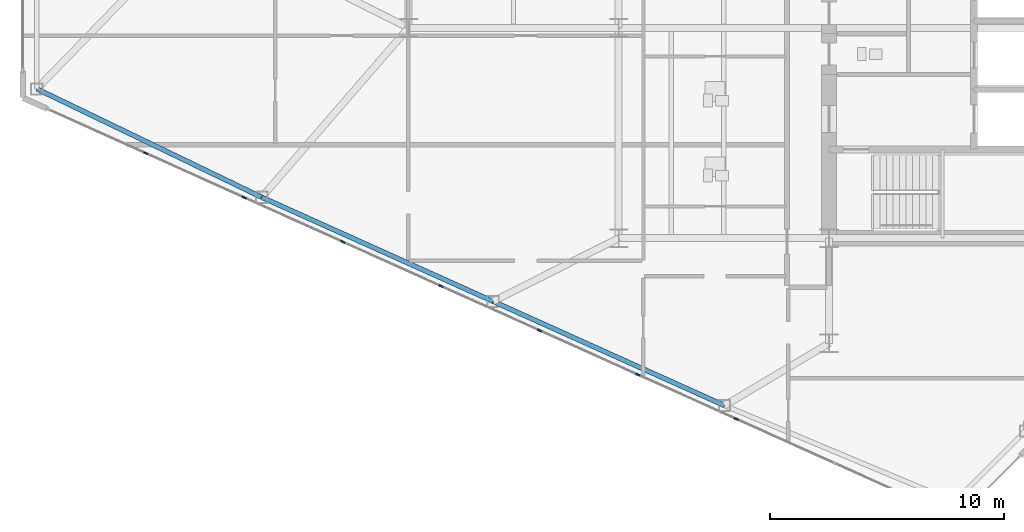
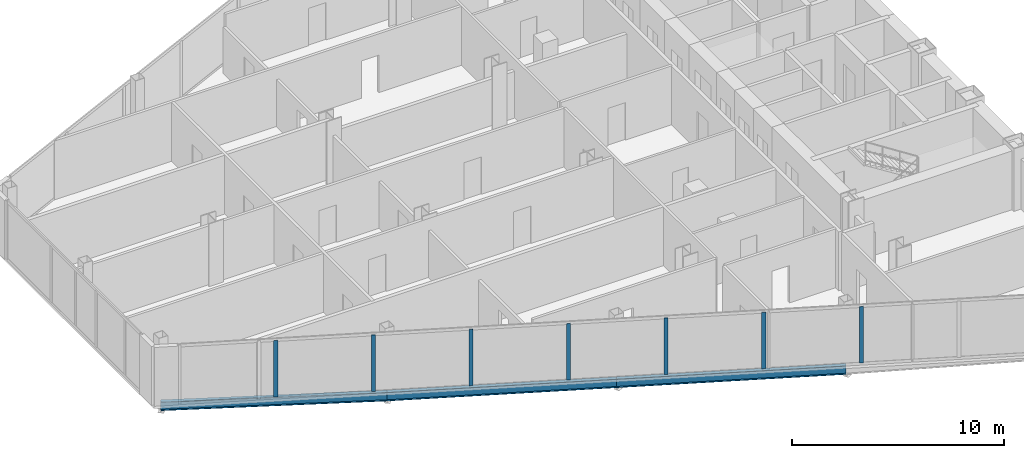
# One storey, part 3 of 27: 7 members, 3 beams, 1 element without a shape of its own.
"""IFC4 building model written with IfcOpenShell, lengths in metres."""

import ifcopenshell
import ifcopenshell.guid

model = None  # the IFC model being written
_history = None  # IfcOwnerHistory: only IFC2X3 demands one
_inside = {}  # id of a spatial element -> (the spatial element, [elements in it])
_under = {}  # id of a project, library or spatial element -> (it, [spatial elements below it])
_declared = {}  # id of a project -> (the project, [libraries it declares])
_typed = {}  # id of a type object -> (the type object, [elements of that type])
_made_of = {}  # id of a material, layer set ... -> (it, [elements and type objects made of it])


def new_model(schema):
    """Start an empty IFC model of exactly this schema.

    Asked for "IFC4X3", IfcOpenShell would pick the latest addendum, in which some entities
    have other attributes; the version numbers below select the first issue.
    IFC2X3 requires an IfcOwnerHistory on every rooted entity: one is made here for all.
    """
    global model, _history
    if schema == "IFC4X3":
        model = ifcopenshell.file(schema_version=(4, 3, 0, 0))
    else:
        model = ifcopenshell.file(schema=schema)
    _inside.clear()
    _under.clear()
    _declared.clear()
    _typed.clear()
    _made_of.clear()
    _history = None
    if model.schema == "IFC2X3":
        org = make("IfcOrganization", Name="unknown")
        user = make(
            "IfcPersonAndOrganization",
            ThePerson=make("IfcPerson", FamilyName="unknown"),
            TheOrganization=org,
        )
        app = make(
            "IfcApplication",
            ApplicationDeveloper=org,
            Version="unknown",
            ApplicationFullName="unknown",
            ApplicationIdentifier="unknown",
        )
        _history = make(
            "IfcOwnerHistory",
            OwningUser=user,
            OwningApplication=app,
            ChangeAction="ADDED",
            CreationDate=0,
        )
    return model


def make(cls, **values):
    """One entity of the class cls with the attributes given. An attribute that is None is left unset."""
    return model.create_entity(
        cls, **{name: value for name, value in values.items() if value is not None}
    )


def rooted(cls, **values):
    """An entity with a GlobalId (a new one), such as an element, a storey or a relation."""
    return make(cls, GlobalId=ifcopenshell.guid.new(), OwnerHistory=_history, **values)


def si_unit(unit_type, name, prefix=None):
    """IfcSIUnit, for example si_unit("LENGTHUNIT", "METRE", prefix="MILLI")."""
    return make("IfcSIUnit", UnitType=unit_type, Prefix=prefix, Name=name)


def assignment(units):
    """IfcUnitAssignment: the units of a project."""
    return None if units is None else make("IfcUnitAssignment", Units=units)


def point(xyz):
    """IfcCartesianPoint."""
    return None if xyz is None else make("IfcCartesianPoint", Coordinates=xyz)


def direction(xyz):
    """IfcDirection."""
    return None if xyz is None else make("IfcDirection", DirectionRatios=xyz)


def frame(location, z_axis=None, x_axis=None):
    """IfcAxis2Placement3D, a coordinate frame: its origin and axes. An axis left out is left unset."""
    return make(
        "IfcAxis2Placement3D",
        Location=point(location),
        Axis=direction(z_axis),
        RefDirection=direction(x_axis),
    )


def frame_2d(location, x_axis=None):
    """IfcAxis2Placement2D, a coordinate frame in the plane: its origin and x axis."""
    return make(
        "IfcAxis2Placement2D", Location=point(location), RefDirection=direction(x_axis)
    )


def origin():
    """The frame at (0, 0, 0) with its axes left unset."""
    return frame((0.0, 0.0, 0.0))


def origin_2d():
    """The frame at (0, 0) in the plane with its x axis left unset."""
    return frame_2d((0.0, 0.0))


def place(relative_to, where):
    """IfcLocalPlacement: puts the frame where relative to a parent placement (None: the world)."""
    return make(
        "IfcLocalPlacement", PlacementRelTo=relative_to, RelativePlacement=where
    )


def context(
    kind, dimensions, precision=None, world=None, true_north=None, identifier=None
):
    """IfcGeometricRepresentationContext, for example the 3D "Model" context."""
    return make(
        "IfcGeometricRepresentationContext",
        ContextIdentifier=identifier,
        ContextType=kind,
        CoordinateSpaceDimension=dimensions,
        Precision=precision,
        WorldCoordinateSystem=world,
        TrueNorth=true_north,
    )


def subcontext(parent, identifier, kind, view, scale=None):
    """IfcGeometricRepresentationSubContext, for example "Body" below "Model"."""
    return make(
        "IfcGeometricRepresentationSubContext",
        ContextIdentifier=identifier,
        ContextType=kind,
        ParentContext=parent,
        TargetScale=scale,
        TargetView=view,
    )


def project(units=None, contexts=None):
    """IfcProject with its units and contexts."""
    return rooted(
        "IfcProject",
        Name="project",
        RepresentationContexts=contexts,
        UnitsInContext=assignment(units),
    )


def spatial(cls, under=None, at=None, **own):
    """A site, building, storey or space (cls), placed at a placement, below another one or the project."""
    s = rooted(cls, ObjectPlacement=at, **own)
    if under is not None:
        _under.setdefault(under.id(), (under, []))[1].append(s)
    return s


def profile(cls, at=None, kind="AREA", **sizes):
    """A parametric profile (cls). Its sizes go by their IFC names, for example OverallWidth=200.0."""
    return make(cls, ProfileType=kind, Position=at, **sizes)


def rectangle(**sizes):
    """IfcRectangleProfileDef."""
    return profile("IfcRectangleProfileDef", **sizes)


def i_section(**sizes):
    """IfcIShapeProfileDef."""
    return profile("IfcIShapeProfileDef", **sizes)


def extrude(swept, where, along, depth):
    """IfcExtrudedAreaSolid: the profile swept, set in the frame where, extruded along a direction by depth."""
    return make(
        "IfcExtrudedAreaSolid",
        SweptArea=swept,
        Position=where,
        ExtrudedDirection=direction(along),
        Depth=depth,
    )


def shape(context_of_items, identifier, shape_type, items):
    """IfcShapeRepresentation: the items that make up one representation, for example the "Body"."""
    return make(
        "IfcShapeRepresentation",
        ContextOfItems=context_of_items,
        RepresentationIdentifier=identifier,
        RepresentationType=shape_type,
        Items=items,
    )


def source(mapping_origin, context_of_items, identifier, shape_type, items):
    """IfcRepresentationMap: a shape defined once, which mapped items show again and again."""
    return make(
        "IfcRepresentationMap",
        MappingOrigin=mapping_origin,
        MappedRepresentation=shape(context_of_items, identifier, shape_type, items),
    )


def transform(
    local_origin,
    x_axis=None,
    y_axis=None,
    z_axis=None,
    scale=None,
    scale2=None,
    scale3=None,
    uniform=True,
):
    """IfcCartesianTransformationOperator3D, or its non-uniform kind. x_axis, y_axis, z_axis: its Axis1, 2, 3."""
    if uniform:
        return make(
            "IfcCartesianTransformationOperator3D",
            Axis1=direction(x_axis),
            Axis2=direction(y_axis),
            LocalOrigin=point(local_origin),
            Scale=scale,
            Axis3=direction(z_axis),
        )
    return make(
        "IfcCartesianTransformationOperator3DnonUniform",
        Axis1=direction(x_axis),
        Axis2=direction(y_axis),
        LocalOrigin=point(local_origin),
        Scale=scale,
        Axis3=direction(z_axis),
        Scale2=scale2,
        Scale3=scale3,
    )


def mapped(mapping_source, mapping_target):
    """IfcMappedItem: shows the shape of a source again, moved by a transform."""
    return make(
        "IfcMappedItem", MappingSource=mapping_source, MappingTarget=mapping_target
    )


def material(Name=None, Category=None):
    """IfcMaterial."""
    return make("IfcMaterial", Name=Name, Category=Category)


def layer(
    of_material, thickness, ventilated=None, Name=None, Category=None, Priority=None
):
    """IfcMaterialLayer: one layer of a wall or slab, of a material (None: an air gap)."""
    return make(
        "IfcMaterialLayer",
        Material=of_material,
        LayerThickness=thickness,
        IsVentilated=ventilated,
        Name=Name,
        Category=Category,
        Priority=Priority,
    )


def layer_set(layers, Name=None):
    """IfcMaterialLayerSet."""
    return make("IfcMaterialLayerSet", MaterialLayers=layers, LayerSetName=Name)


def material_profile(
    of_material, cross_section, Name=None, Category=None, Priority=None
):
    """IfcMaterialProfile: a cross section and its material."""
    return make(
        "IfcMaterialProfile",
        Name=Name,
        Material=of_material,
        Profile=cross_section,
        Priority=Priority,
        Category=Category,
    )


def profile_set(profiles, Name=None, composite=None):
    """IfcMaterialProfileSet."""
    return make(
        "IfcMaterialProfileSet",
        Name=Name,
        MaterialProfiles=profiles,
        CompositeProfile=composite,
    )


def made_of(thing, what):
    """Note that an element or type object is made of a material, layer set ...; save() writes the relation."""
    if what is not None:
        _made_of.setdefault(what.id(), (what, []))[1].append(thing)
    return thing


def type_object(cls, material=None, **own):
    """A type object (cls), such as IfcWallType, which elements share."""
    return made_of(rooted(cls, **own), material)


def type_shapes(of_type, sources):
    """Give a type object the sources (RepresentationMaps) that its elements show as mapped items."""
    of_type.RepresentationMaps = sources


def element(
    cls,
    number,
    at=None,
    inside=None,
    cuts=None,
    type_object=None,
    material=None,
    context=None,
    identifier="Body",
    shape_type=None,
    held_by="IfcProductDefinitionShape",
    body=None,
    shapes=None,
    **own,
):
    """One element of the class cls, such as IfcWall. Its Tag is "e" and its number.

    at: its placement. inside: the storey or other place that contains it. cuts: it is an
    opening in that element (IfcRelVoidsElement). A single representation is given by context,
    identifier, shape_type and body (its items); several are given by shapes. held_by: the class
    of the entity that holds the representations. save() writes the other relations.
    """
    e = rooted(cls, Tag="e%d" % number, ObjectPlacement=at, **own)
    if body is not None:
        shapes = [shape(context, identifier, shape_type, body)]
    if shapes is not None:
        e.Representation = make(held_by, Representations=shapes)
    if inside is not None:
        _inside.setdefault(inside.id(), (inside, []))[1].append(e)
    if cuts is not None:
        rooted(
            "IfcRelVoidsElement", RelatingBuildingElement=cuts, RelatedOpeningElement=e
        )
    if type_object is not None:
        _typed.setdefault(type_object.id(), (type_object, []))[1].append(e)
    return made_of(e, material)


def aggregate(whole, parts):
    """IfcRelAggregates: a whole, such as a stair, and the parts it consists of."""
    return rooted("IfcRelAggregates", RelatingObject=whole, RelatedObjects=parts)


def save(model, path):
    """Write the relations noted so far, then the file.

    IfcRelAggregates (storeys below a building ...), IfcRelContainedInSpatialStructure (elements
    in a storey), IfcRelDefinesByType, IfcRelAssociatesMaterial and IfcRelDeclares: one each for
    every whole, place, type object, material and project.
    """
    for whole, parts in _under.values():
        aggregate(whole, parts)
    for where, things in _inside.values():
        rooted(
            "IfcRelContainedInSpatialStructure",
            RelatedElements=things,
            RelatingStructure=where,
        )
    for kind, things in _typed.values():
        rooted("IfcRelDefinesByType", RelatedObjects=things, RelatingType=kind)
    for what, things in _made_of.values():
        rooted("IfcRelAssociatesMaterial", RelatedObjects=things, RelatingMaterial=what)
    for by, libraries in _declared.values():
        rooted("IfcRelDeclares", RelatingContext=by, RelatedDefinitions=libraries)
    model.write(path)


model = new_model("IFC4")

# Units and contexts
model_context = context("Model", 3, precision=1e-05, world=origin(), true_north=direction((0.0, 1.0)))
body_context = subcontext(model_context, "Body", "Model", "MODEL_VIEW")
ifc_project = project(units=[si_unit("LENGTHUNIT", "METRE"), si_unit("AREAUNIT", "SQUARE_METRE"), si_unit("VOLUMEUNIT", "CUBIC_METRE"), si_unit("PLANEANGLEUNIT", "RADIAN"), si_unit("MASSUNIT", "GRAM", prefix="KILO")], contexts=[model_context])

# Site, building, storey
site_placement = place(None, origin())
site = spatial("IfcSite", under=ifc_project, at=site_placement, CompositionType="ELEMENT")
building_placement = place(site_placement, origin())
building = spatial("IfcBuilding", under=site, at=building_placement, Name="Seokmaru Belvedere", CompositionType="ELEMENT")
storey_placement = place(building_placement, frame((0.0, 0.0, 76.5)))
storey = spatial("IfcBuildingStorey", under=building, at=storey_placement, Name="L20", CompositionType="ELEMENT", Elevation=76.5)

# Beams
ifc_material_1 = material(Name="Steel SM355 (355 MPa)", Category="steel")
ifc_material_profile_1 = material_profile(ifc_material_1, i_section(OverallWidth=0.199951171875, OverallDepth=0.5, WebThickness=0.010009765625, FlangeThickness=0.01611328125, at=origin_2d()), Name="H-500x200x10x16")
ifc_profile_set_1 = profile_set([ifc_material_profile_1], Name="Steel SM355 (355 MPa)")
beam_type = type_object("IfcBeamType", Name="Perimeter Spandrel Beam H-500", PredefinedType="SPANDREL", material=ifc_profile_set_1)
shared_shape_1 = source(origin(), body_context, "Body", "SweptSolid", [
    extrude(i_section(OverallWidth=0.199951171875, OverallDepth=0.5, WebThickness=0.010009765625, FlangeThickness=0.01611328125, at=origin_2d()), origin(), (0.0, 0.0, 1.0), 10.85888671875),
])
for number, where, z_axis, x_axis, name in (
    (1, (-40.97265625, -20.661376953125, -0.469970703125), (-0.911921505175, 0.410364677329, 0.0), (-0.410364677329, -0.911921505175, 0.0), "L20 W Faceted Flank Spandrel S-2"),
    (2, (-50.875, -16.205322265625, -0.469970703125), (-0.911925291223, 0.410356263785, 0.0), (-0.410356263785, -0.911925291223, 0.0), "L20 W Faceted Flank Spandrel S-3"),
):
    element("IfcBeam", number, at=place(storey_placement, frame(where, z_axis=z_axis, x_axis=x_axis)), inside=storey, type_object=beam_type, Name=name, PredefinedType="SPANDREL", context=body_context, shape_type="MappedRepresentation", body=[
        mapped(shared_shape_1, transform((0.0, 0.0, 0.0), scale=1.0)),
    ])
shared_shape_2 = source(origin(), body_context, "Body", "SweptSolid", [
    extrude(i_section(OverallWidth=0.199951171875, OverallDepth=0.5, WebThickness=0.010009765625, FlangeThickness=0.01611328125, at=origin_2d()), origin(), (0.0, 0.0, 1.0), 10.681396484375),
])
type_shapes(beam_type, [shared_shape_1, shared_shape_2])
beam_placement = place(storey_placement, frame((-60.777587890625, -11.749267578125, -0.469970703125), z_axis=(-0.900846426616, 0.434137899352, 0.0), x_axis=(-0.434137899352, -0.900846426616, 0.0)))
element("IfcBeam", 3, at=beam_placement, inside=storey, type_object=beam_type, Name="L20 W Faceted Flank Spandrel S-4", PredefinedType="SPANDREL", context=body_context, shape_type="MappedRepresentation", body=[
    mapped(shared_shape_2, transform((0.0, 0.0, 0.0), scale=1.0)),
])

# Curtain wall, members
ifc_material_2 = material(Name="Bronze Triple Insulating Glass", Category="glass")
ifc_layer = layer(ifc_material_2, 0.195068359375)
ifc_layer_set = layer_set([ifc_layer], Name="Bronze Triple Insulating Glass")
curtain_wall_type = type_object("IfcCurtainWallType", Name="Lower-Mid Tapered Curtain Wall System CW-3", PredefinedType="NOTDEFINED", material=ifc_layer_set)
curtain_wall_placement = place(storey_placement, origin())
curtain_wall = element("IfcCurtainWall", 4, at=curtain_wall_placement, inside=storey, type_object=curtain_wall_type, Name="L20 Curtain Wall WF5", PredefinedType="NOTDEFINED")
ifc_material_3 = material(Name="Anodised Bronze Aluminium", Category="aluminium")
ifc_material_profile_2 = material_profile(ifc_material_3, rectangle(XDim=0.070068359375, YDim=0.195068359375, at=origin_2d()), Name="CW-M-70x195")
ifc_profile_set_2 = profile_set([ifc_material_profile_2], Name="Anodised Bronze Aluminium")
member_type = type_object("IfcMemberType", Name="Bronze Unitised Mullion 70x195", PredefinedType="MULLION", material=ifc_profile_set_2)
shared_shape_3 = source(origin(), body_context, "Body", "SweptSolid", [
    extrude(rectangle(XDim=0.070068359375, YDim=0.195068359375, at=origin_2d()), origin(), (0.0, 0.0, 1.0), 3.239990234375),
])
type_shapes(member_type, [shared_shape_3])
member_1_placement = place(storey_placement, frame((-65.739990234375, -9.866943359375, 0.070068359375), z_axis=(0.0, 0.0, 1.0), x_axis=(0.41036554765, 0.91192111353, 0.0)))
member_1 = element("IfcMember", 5, at=member_1_placement, type_object=member_type, Name="CW:L20:WF5 Mullion 2", PredefinedType="MULLION", context=body_context, shape_type="MappedRepresentation", body=[
    mapped(shared_shape_3, transform((0.0, 0.0, 0.0), scale=1.0)),
])
member_2_placement = place(storey_placement, frame((-61.528564453125, -11.76220703125, 0.070068359375), z_axis=(0.0, 0.0, 1.0), x_axis=(0.41036554765, 0.91192111353, 0.0)))
member_2 = element("IfcMember", 6, at=member_2_placement, type_object=member_type, Name="CW:L20:WF5 Mullion 3", PredefinedType="MULLION", context=body_context, shape_type="MappedRepresentation", body=[
    mapped(shared_shape_3, transform((0.0, 0.0, 0.0), scale=1.0)),
])
member_3_placement = place(storey_placement, frame((-57.317138671875, -13.6572265625, 0.070068359375), z_axis=(0.0, 0.0, 1.0), x_axis=(0.41036554765, 0.91192111353, 0.0)))
member_3 = element("IfcMember", 7, at=member_3_placement, type_object=member_type, Name="CW:L20:WF5 Mullion 4", PredefinedType="MULLION", context=body_context, shape_type="MappedRepresentation", body=[
    mapped(shared_shape_3, transform((0.0, 0.0, 0.0), scale=1.0)),
])
member_4_placement = place(storey_placement, frame((-53.105712890625, -15.552490234375, 0.070068359375), z_axis=(0.0, 0.0, 1.0), x_axis=(0.41036554765, 0.91192111353, 0.0)))
member_4 = element("IfcMember", 8, at=member_4_placement, type_object=member_type, Name="CW:L20:WF5 Mullion 5", PredefinedType="MULLION", context=body_context, shape_type="MappedRepresentation", body=[
    mapped(shared_shape_3, transform((0.0, 0.0, 0.0), scale=1.0)),
])
member_5_placement = place(storey_placement, frame((-48.894287109375, -17.447509765625, 0.070068359375), z_axis=(0.0, 0.0, 1.0), x_axis=(0.41036554765, 0.91192111353, 0.0)))
member_5 = element("IfcMember", 9, at=member_5_placement, type_object=member_type, Name="CW:L20:WF5 Mullion 6", PredefinedType="MULLION", context=body_context, shape_type="MappedRepresentation", body=[
    mapped(shared_shape_3, transform((0.0, 0.0, 0.0), scale=1.0)),
])
member_6_placement = place(storey_placement, frame((-44.682861328125, -19.3427734375, 0.070068359375), z_axis=(0.0, 0.0, 1.0), x_axis=(0.41036554765, 0.91192111353, 0.0)))
member_6 = element("IfcMember", 10, at=member_6_placement, type_object=member_type, Name="CW:L20:WF5 Mullion 7", PredefinedType="MULLION", context=body_context, shape_type="MappedRepresentation", body=[
    mapped(shared_shape_3, transform((0.0, 0.0, 0.0), scale=1.0)),
])
member_7_placement = place(storey_placement, frame((-40.471435546875, -21.23779296875, 0.070068359375), z_axis=(0.0, 0.0, 1.0), x_axis=(0.41036554765, 0.91192111353, 0.0)))
member_7 = element("IfcMember", 11, at=member_7_placement, type_object=member_type, Name="CW:L20:WF5 Mullion 8", PredefinedType="MULLION", context=body_context, shape_type="MappedRepresentation", body=[
    mapped(shared_shape_3, transform((0.0, 0.0, 0.0), scale=1.0)),
])
aggregate(curtain_wall, [member_1, member_2, member_3, member_4, member_5, member_6, member_7])

save(model, "model.ifc")
